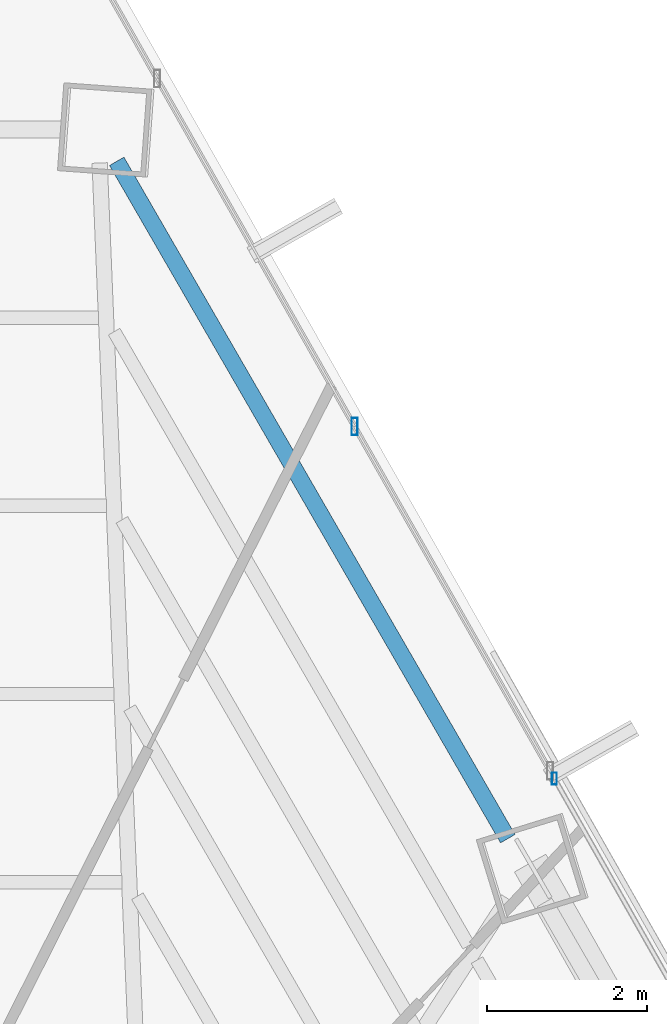
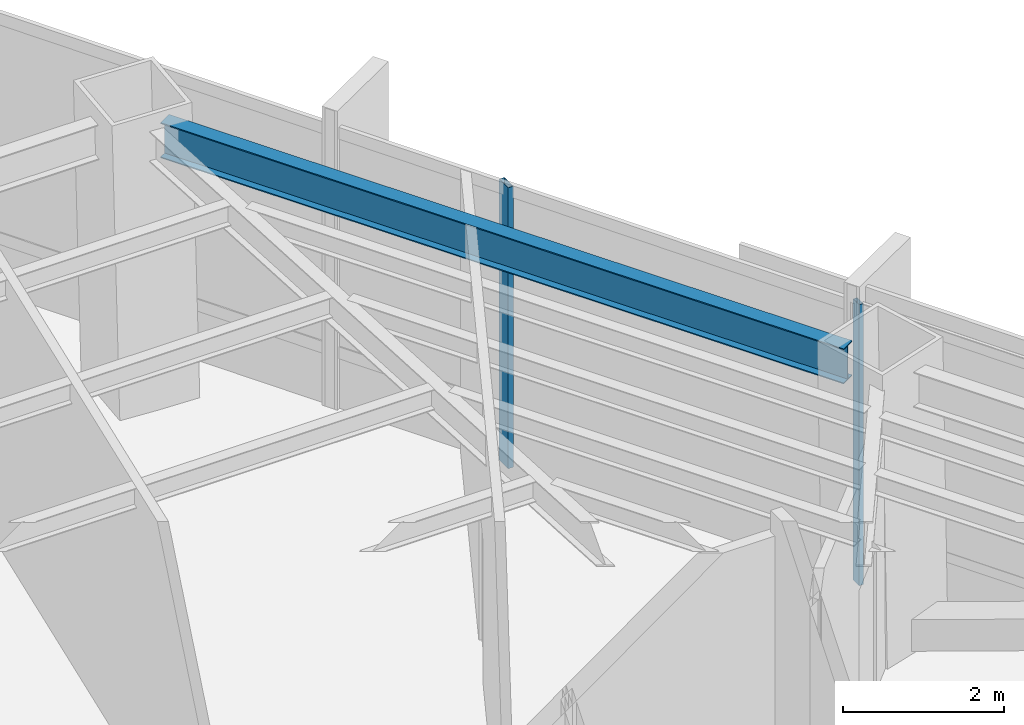
# One storey, part 28 of 37: 2 members, 1 beam, 2 elements without a shape of their own.
"""IFC4 building model written with IfcOpenShell, lengths in metres."""

from ifc_helpers import new_model, si_unit, direction, frame, origin, origin_2d, place, context, subcontext, project, spatial, hollow_rectangle, i_section, extrude, source, transform, mapped, material, material_profile, profile_set, type_object, type_shapes, element, aggregate, save


model = new_model("IFC4")

# Units and contexts
model_context = context("Model", 3, precision=1e-05, world=origin(), true_north=direction((0.0, 1.0)))
body_context = subcontext(model_context, "Body", "Model", "MODEL_VIEW")
ifc_project = project(units=[si_unit("LENGTHUNIT", "METRE"), si_unit("AREAUNIT", "SQUARE_METRE"), si_unit("VOLUMEUNIT", "CUBIC_METRE"), si_unit("PLANEANGLEUNIT", "RADIAN"), si_unit("MASSUNIT", "GRAM", prefix="KILO")], contexts=[model_context])

# Site, building, storey
site_placement = place(None, origin())
site = spatial("IfcSite", under=ifc_project, at=site_placement, CompositionType="ELEMENT")
building_placement = place(site_placement, origin())
building = spatial("IfcBuilding", under=site, at=building_placement, Name="Caelisora Broadcast Tower", CompositionType="ELEMENT")
storey_placement = place(building_placement, frame((0.0, 0.0, 127.300048828125)))
storey = spatial("IfcBuildingStorey", under=building, at=storey_placement, Name="L33", CompositionType="ELEMENT", Elevation=127.300048828125)

# Beam
ifc_material_1 = material(Name="Steel Grade 350 (AS/NZS 3679.1)", Category="steel")
ifc_material_profile_1 = material_profile(ifc_material_1, i_section(OverallWidth=0.208984375, OverallDepth=0.532958984375, WebThickness=0.01025390625, FlangeThickness=0.015625, at=origin_2d()), Name="Steel Grade 350 (AS/NZS 3679.1)")
ifc_profile_set_1 = profile_set([ifc_material_profile_1], Name="Steel Grade 350 (AS/NZS 3679.1)")
beam_type = type_object("IfcBeamType", Name="PG05", PredefinedType="BEAM", material=ifc_profile_set_1)
shared_shape_1 = source(origin(), body_context, "Body", "SweptSolid", [
    extrude(i_section(OverallWidth=0.208984375, OverallDepth=0.532958984375, WebThickness=0.01025390625, FlangeThickness=0.015625, at=origin_2d()), origin(), (0.0, 0.0, 1.0), 9.770263671875),
])
type_shapes(beam_type, [shared_shape_1])
beam_placement = place(storey_placement, frame((49.937744140625, 37.595703125, 3.9833984375), z_axis=(-0.50001446288, 0.866017053476, 0.0), x_axis=(-0.866017053476, -0.50001446288, 0.0)))
element("IfcBeam", 1, at=beam_placement, inside=storey, type_object=beam_type, Name="L33 beam PG05", PredefinedType="BEAM", context=body_context, shape_type="MappedRepresentation", body=[
    mapped(shared_shape_1, transform((0.0, 0.0, 0.0), scale=1.0)),
])

# Curtain wall, member
ifc_material_2 = material(Name="Unitised Aluminium and Low-E Glass Curtain Wall", Category="glass")
curtain_wall_type_1 = type_object("IfcCurtainWallType", Name="CW-SKY", PredefinedType="NOTDEFINED", material=ifc_material_2)
curtain_wall_1_placement = place(storey_placement, origin())
curtain_wall_1 = element("IfcCurtainWall", 2, at=curtain_wall_1_placement, inside=storey, type_object=curtain_wall_type_1, Name="L33 curtain wall CW-SKY", PredefinedType="NOTDEFINED")
ifc_material_3 = material(Name="Aluminium 6063-T6 Anodised Terracotta Bronze", Category="aluminium")
ifc_material_profile_2 = material_profile(ifc_material_3, hollow_rectangle(XDim=0.074951171875, YDim=0.219970703125, WallThickness=0.00390625, at=origin_2d()), Name="Aluminium 6063-T6 Anodised Terracotta Bronze")
ifc_profile_set_2 = profile_set([ifc_material_profile_2], Name="Aluminium 6063-T6 Anodised Terracotta Bronze")
member_type_1 = type_object("IfcMemberType", Name="CWM-01", PredefinedType="MULLION", material=ifc_profile_set_2)
shared_shape_2 = source(origin(), body_context, "Body", "SweptSolid", [
    extrude(hollow_rectangle(XDim=0.074951171875, YDim=0.219970703125, WallThickness=0.00390625, at=origin_2d()), origin(), (0.0, 0.0, 1.0), 4.25),
])
type_shapes(member_type_1, [shared_shape_2])
member_1_placement = place(storey_placement, frame((48.023193359375, 42.744384765625, 0.0), z_axis=(0.0, 0.0, 1.0), x_axis=(1.0, 0.0, 0.0)))
member_1 = element("IfcMember", 3, at=member_1_placement, type_object=member_type_1, Name="L33-CW-B01 mullion #2", PredefinedType="MULLION", context=body_context, shape_type="MappedRepresentation", body=[
    mapped(shared_shape_2, transform((0.0, 0.0, 0.0), scale=1.0)),
])
aggregate(curtain_wall_1, [member_1])

ifc_material_4 = material(Name="Unitised Aluminium Insulated Shadow-Box Spandrel Curtain Wall", Category="aluminium")
curtain_wall_type_2 = type_object("IfcCurtainWallType", Name="CW-SP2", PredefinedType="NOTDEFINED", material=ifc_material_4)
curtain_wall_2_placement = place(storey_placement, origin())
curtain_wall_2 = element("IfcCurtainWall", 4, at=curtain_wall_2_placement, inside=storey, type_object=curtain_wall_type_2, Name="L33 curtain wall CW-SP2", PredefinedType="NOTDEFINED")
ifc_material_profile_3 = material_profile(ifc_material_3, hollow_rectangle(XDim=0.06005859375, YDim=0.14990234375, WallThickness=0.00341796875, at=origin_2d()), Name="Aluminium 6063-T6 Anodised Terracotta Bronze")
ifc_profile_set_3 = profile_set([ifc_material_profile_3], Name="Aluminium 6063-T6 Anodised Terracotta Bronze")
member_type_2 = type_object("IfcMemberType", Name="CWM-03", PredefinedType="MULLION", material=ifc_profile_set_3)
shared_shape_3 = source(origin(), body_context, "Body", "SweptSolid", [
    extrude(hollow_rectangle(XDim=0.06005859375, YDim=0.14990234375, WallThickness=0.00341796875, at=origin_2d()), origin(), (0.0, 0.0, 1.0), 4.25),
])
type_shapes(member_type_2, [shared_shape_3])
member_2_placement = place(storey_placement, frame((50.519775390625, 38.34619140625, 0.0), z_axis=(0.0, 0.0, 1.0), x_axis=(1.0, 0.0, 0.0)))
member_2 = element("IfcMember", 5, at=member_2_placement, type_object=member_type_2, Name="L33-CW-B02 mullion #0", PredefinedType="MULLION", context=body_context, shape_type="MappedRepresentation", body=[
    mapped(shared_shape_3, transform((0.0, 0.0, 0.0), scale=1.0)),
])
aggregate(curtain_wall_2, [member_2])

save(model, "model.ifc")
